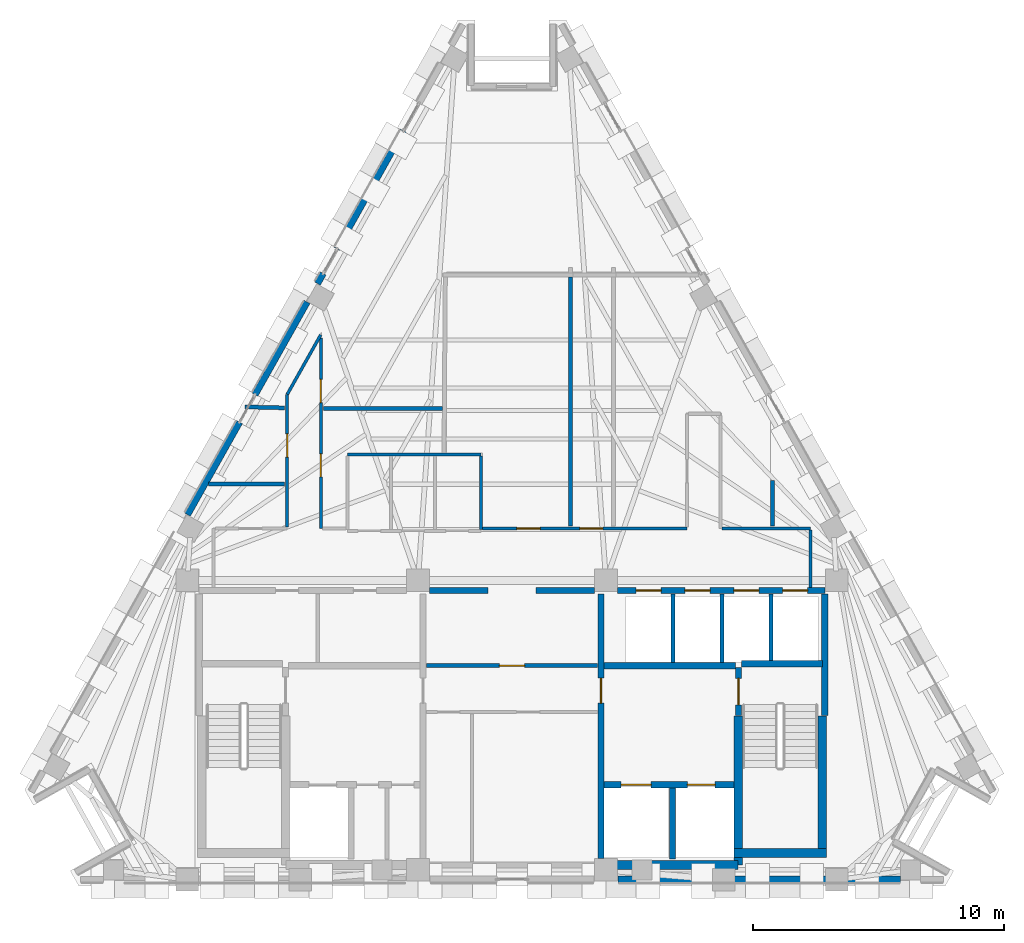
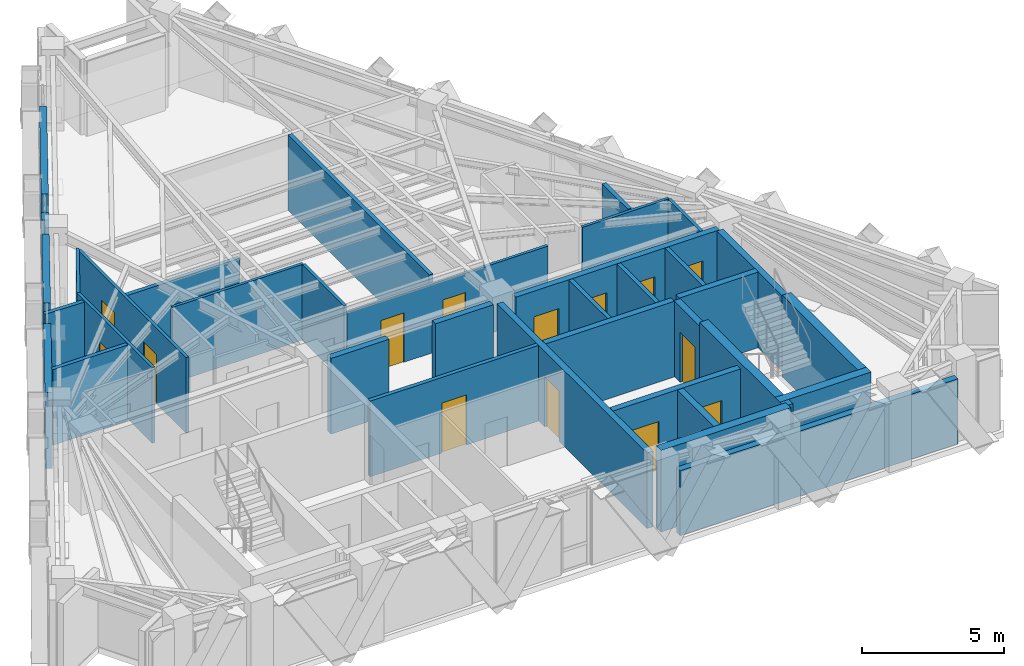
# One storey, part 6 of 9: 36 walls, 14 doors, 14 openings.
"""IFC4 building model written with IfcOpenShell, lengths in metres."""

import ifcopenshell
import ifcopenshell.guid

model = None  # the IFC model being written
_history = None  # IfcOwnerHistory: only IFC2X3 demands one
_inside = {}  # id of a spatial element -> (the spatial element, [elements in it])
_under = {}  # id of a project, library or spatial element -> (it, [spatial elements below it])
_declared = {}  # id of a project -> (the project, [libraries it declares])
_typed = {}  # id of a type object -> (the type object, [elements of that type])
_made_of = {}  # id of a material, layer set ... -> (it, [elements and type objects made of it])


def new_model(schema):
    """Start an empty IFC model of exactly this schema.

    Asked for "IFC4X3", IfcOpenShell would pick the latest addendum, in which some entities
    have other attributes; the version numbers below select the first issue.
    IFC2X3 requires an IfcOwnerHistory on every rooted entity: one is made here for all.
    """
    global model, _history
    if schema == "IFC4X3":
        model = ifcopenshell.file(schema_version=(4, 3, 0, 0))
    else:
        model = ifcopenshell.file(schema=schema)
    _inside.clear()
    _under.clear()
    _declared.clear()
    _typed.clear()
    _made_of.clear()
    _history = None
    if model.schema == "IFC2X3":
        org = make("IfcOrganization", Name="unknown")
        user = make(
            "IfcPersonAndOrganization",
            ThePerson=make("IfcPerson", FamilyName="unknown"),
            TheOrganization=org,
        )
        app = make(
            "IfcApplication",
            ApplicationDeveloper=org,
            Version="unknown",
            ApplicationFullName="unknown",
            ApplicationIdentifier="unknown",
        )
        _history = make(
            "IfcOwnerHistory",
            OwningUser=user,
            OwningApplication=app,
            ChangeAction="ADDED",
            CreationDate=0,
        )
    return model


def make(cls, **values):
    """One entity of the class cls with the attributes given. An attribute that is None is left unset."""
    return model.create_entity(
        cls, **{name: value for name, value in values.items() if value is not None}
    )


def rooted(cls, **values):
    """An entity with a GlobalId (a new one), such as an element, a storey or a relation."""
    return make(cls, GlobalId=ifcopenshell.guid.new(), OwnerHistory=_history, **values)


def si_unit(unit_type, name, prefix=None):
    """IfcSIUnit, for example si_unit("LENGTHUNIT", "METRE", prefix="MILLI")."""
    return make("IfcSIUnit", UnitType=unit_type, Prefix=prefix, Name=name)


def assignment(units):
    """IfcUnitAssignment: the units of a project."""
    return None if units is None else make("IfcUnitAssignment", Units=units)


def point(xyz):
    """IfcCartesianPoint."""
    return None if xyz is None else make("IfcCartesianPoint", Coordinates=xyz)


def direction(xyz):
    """IfcDirection."""
    return None if xyz is None else make("IfcDirection", DirectionRatios=xyz)


def frame(location, z_axis=None, x_axis=None):
    """IfcAxis2Placement3D, a coordinate frame: its origin and axes. An axis left out is left unset."""
    return make(
        "IfcAxis2Placement3D",
        Location=point(location),
        Axis=direction(z_axis),
        RefDirection=direction(x_axis),
    )


def frame_2d(location, x_axis=None):
    """IfcAxis2Placement2D, a coordinate frame in the plane: its origin and x axis."""
    return make(
        "IfcAxis2Placement2D", Location=point(location), RefDirection=direction(x_axis)
    )


def origin():
    """The frame at (0, 0, 0) with its axes left unset."""
    return frame((0.0, 0.0, 0.0))


def place(relative_to, where):
    """IfcLocalPlacement: puts the frame where relative to a parent placement (None: the world)."""
    return make(
        "IfcLocalPlacement", PlacementRelTo=relative_to, RelativePlacement=where
    )


def context(
    kind, dimensions, precision=None, world=None, true_north=None, identifier=None
):
    """IfcGeometricRepresentationContext, for example the 3D "Model" context."""
    return make(
        "IfcGeometricRepresentationContext",
        ContextIdentifier=identifier,
        ContextType=kind,
        CoordinateSpaceDimension=dimensions,
        Precision=precision,
        WorldCoordinateSystem=world,
        TrueNorth=true_north,
    )


def subcontext(parent, identifier, kind, view, scale=None):
    """IfcGeometricRepresentationSubContext, for example "Body" below "Model"."""
    return make(
        "IfcGeometricRepresentationSubContext",
        ContextIdentifier=identifier,
        ContextType=kind,
        ParentContext=parent,
        TargetScale=scale,
        TargetView=view,
    )


def project(units=None, contexts=None):
    """IfcProject with its units and contexts."""
    return rooted(
        "IfcProject",
        Name="project",
        RepresentationContexts=contexts,
        UnitsInContext=assignment(units),
    )


def spatial(cls, under=None, at=None, **own):
    """A site, building, storey or space (cls), placed at a placement, below another one or the project."""
    s = rooted(cls, ObjectPlacement=at, **own)
    if under is not None:
        _under.setdefault(under.id(), (under, []))[1].append(s)
    return s


def profile(cls, at=None, kind="AREA", **sizes):
    """A parametric profile (cls). Its sizes go by their IFC names, for example OverallWidth=200.0."""
    return make(cls, ProfileType=kind, Position=at, **sizes)


def rectangle(**sizes):
    """IfcRectangleProfileDef."""
    return profile("IfcRectangleProfileDef", **sizes)


def extrude(swept, where, along, depth):
    """IfcExtrudedAreaSolid: the profile swept, set in the frame where, extruded along a direction by depth."""
    return make(
        "IfcExtrudedAreaSolid",
        SweptArea=swept,
        Position=where,
        ExtrudedDirection=direction(along),
        Depth=depth,
    )


def shape(context_of_items, identifier, shape_type, items):
    """IfcShapeRepresentation: the items that make up one representation, for example the "Body"."""
    return make(
        "IfcShapeRepresentation",
        ContextOfItems=context_of_items,
        RepresentationIdentifier=identifier,
        RepresentationType=shape_type,
        Items=items,
    )


def material(Name=None, Category=None):
    """IfcMaterial."""
    return make("IfcMaterial", Name=Name, Category=Category)


def layer(
    of_material, thickness, ventilated=None, Name=None, Category=None, Priority=None
):
    """IfcMaterialLayer: one layer of a wall or slab, of a material (None: an air gap)."""
    return make(
        "IfcMaterialLayer",
        Material=of_material,
        LayerThickness=thickness,
        IsVentilated=ventilated,
        Name=Name,
        Category=Category,
        Priority=Priority,
    )


def layer_set(layers, Name=None):
    """IfcMaterialLayerSet."""
    return make("IfcMaterialLayerSet", MaterialLayers=layers, LayerSetName=Name)


def made_of(thing, what):
    """Note that an element or type object is made of a material, layer set ...; save() writes the relation."""
    if what is not None:
        _made_of.setdefault(what.id(), (what, []))[1].append(thing)
    return thing


def type_object(cls, material=None, **own):
    """A type object (cls), such as IfcWallType, which elements share."""
    return made_of(rooted(cls, **own), material)


def element(
    cls,
    number,
    at=None,
    inside=None,
    cuts=None,
    type_object=None,
    material=None,
    context=None,
    identifier="Body",
    shape_type=None,
    held_by="IfcProductDefinitionShape",
    body=None,
    shapes=None,
    **own,
):
    """One element of the class cls, such as IfcWall. Its Tag is "e" and its number.

    at: its placement. inside: the storey or other place that contains it. cuts: it is an
    opening in that element (IfcRelVoidsElement). A single representation is given by context,
    identifier, shape_type and body (its items); several are given by shapes. held_by: the class
    of the entity that holds the representations. save() writes the other relations.
    """
    e = rooted(cls, Tag="e%d" % number, ObjectPlacement=at, **own)
    if body is not None:
        shapes = [shape(context, identifier, shape_type, body)]
    if shapes is not None:
        e.Representation = make(held_by, Representations=shapes)
    if inside is not None:
        _inside.setdefault(inside.id(), (inside, []))[1].append(e)
    if cuts is not None:
        rooted(
            "IfcRelVoidsElement", RelatingBuildingElement=cuts, RelatedOpeningElement=e
        )
    if type_object is not None:
        _typed.setdefault(type_object.id(), (type_object, []))[1].append(e)
    return made_of(e, material)


def fill(opening, filler):
    """IfcRelFillsElement: the door or window that sits in an opening."""
    return rooted(
        "IfcRelFillsElement",
        RelatingOpeningElement=opening,
        RelatedBuildingElement=filler,
    )


def aggregate(whole, parts):
    """IfcRelAggregates: a whole, such as a stair, and the parts it consists of."""
    return rooted("IfcRelAggregates", RelatingObject=whole, RelatedObjects=parts)


def save(model, path):
    """Write the relations noted so far, then the file.

    IfcRelAggregates (storeys below a building ...), IfcRelContainedInSpatialStructure (elements
    in a storey), IfcRelDefinesByType, IfcRelAssociatesMaterial and IfcRelDeclares: one each for
    every whole, place, type object, material and project.
    """
    for whole, parts in _under.values():
        aggregate(whole, parts)
    for where, things in _inside.values():
        rooted(
            "IfcRelContainedInSpatialStructure",
            RelatedElements=things,
            RelatingStructure=where,
        )
    for kind, things in _typed.values():
        rooted("IfcRelDefinesByType", RelatedObjects=things, RelatingType=kind)
    for what, things in _made_of.values():
        rooted("IfcRelAssociatesMaterial", RelatedObjects=things, RelatingMaterial=what)
    for by, libraries in _declared.values():
        rooted("IfcRelDeclares", RelatingContext=by, RelatedDefinitions=libraries)
    model.write(path)


model = new_model("IFC4")

# Units and contexts
model_context = context("Model", 3, precision=1e-05, world=origin(), true_north=direction((0.0, 1.0)))
body_context = subcontext(model_context, "Body", "Model", "MODEL_VIEW")
ifc_project = project(units=[si_unit("LENGTHUNIT", "METRE"), si_unit("AREAUNIT", "SQUARE_METRE"), si_unit("VOLUMEUNIT", "CUBIC_METRE"), si_unit("PLANEANGLEUNIT", "RADIAN"), si_unit("MASSUNIT", "GRAM", prefix="KILO")], contexts=[model_context])

# Site, building, storey
site_placement = place(None, origin())
site = spatial("IfcSite", under=ifc_project, at=site_placement, CompositionType="ELEMENT")
building_placement = place(site_placement, origin())
building = spatial("IfcBuilding", under=site, at=building_placement, Name="Quenlor Broadcast Tower", CompositionType="ELEMENT")
storey_placement = place(building_placement, frame((0.0, 0.0, 249.89990234375)))
storey = spatial("IfcBuildingStorey", under=building, at=storey_placement, Name="L69", CompositionType="ELEMENT", Elevation=249.89990234375)

# Walls
ifc_material_1 = material(Name="Concrete C50/60", Category="concrete")
ifc_layer_1 = layer(ifc_material_1, 0.35009765625)
ifc_layer_set_1 = layer_set([ifc_layer_1], Name="Core Concrete C50/60 Shear Wall 350")
wall_type_1 = type_object("IfcWallType", Name="Core Concrete C50/60 Shear Wall 350", PredefinedType="SHEAR", material=ifc_layer_set_1)
wall_1_placement = place(storey_placement, frame((3.75, -16.14990234375, 0.0), z_axis=(0.0, 0.0, 1.0), x_axis=(1.0, 0.0, 0.0)))
element("IfcWall", 1, at=wall_1_placement, inside=storey, type_object=wall_type_1, Name="L69 Core Shear Wall WS-E1", PredefinedType="SHEAR", context=body_context, shape_type="SweptSolid", body=[
    extrude(rectangle(XDim=5.27490234375, YDim=0.35009765625, at=frame_2d((2.637451171875, 0.0))), origin(), (0.0, 0.0, 1.0), 3.5),
])
wall_2_placement = place(storey_placement, frame((8.85009765625, -15.675048828125, 0.0), z_axis=(0.0, 0.0, 1.0), x_axis=(1.0, 0.0, 0.0)))
element("IfcWall", 2, at=wall_2_placement, inside=storey, type_object=wall_type_1, Name="L69 Core Shear Wall WS-E2", PredefinedType="SHEAR", context=body_context, shape_type="SweptSolid", body=[
    extrude(rectangle(XDim=3.699951171875, YDim=0.35009765625, at=frame_2d((1.85009765625, 0.0))), origin(), (0.0, 0.0, 1.0), 3.5),
])
wall_3_placement = place(storey_placement, frame((12.375, -15.675048828125, 0.0), z_axis=(0.0, 0.0, 1.0), x_axis=(0.0, 1.0, 0.0)))
element("IfcWall", 3, at=wall_3_placement, inside=storey, type_object=wall_type_1, Name="L69 Core Shear Wall WF-E", PredefinedType="SHEAR", context=body_context, shape_type="SweptSolid", body=[
    extrude(rectangle(XDim=5.47509765625, YDim=0.35009765625, at=frame_2d((2.737548828125, 0.0))), origin(), (0.0, 0.0, 1.0), 3.5),
])
wall_4_placement = place(storey_placement, frame((9.02490234375, -16.14990234375, 0.0), z_axis=(0.0, 0.0, 1.0), x_axis=(0.0, 1.0, 0.0)))
element("IfcWall", 4, at=wall_4_placement, inside=storey, type_object=wall_type_1, Name="L69 Core Shear Wall WI-E", PredefinedType="SHEAR", context=body_context, shape_type="SweptSolid", body=[
    extrude(rectangle(XDim=5.949951171875, YDim=0.35009765625, at=frame_2d((2.97509765625, 0.0))), origin(), (0.0, 0.0, 1.0), 3.5),
])

# Wall, opening, door
ifc_material_2 = material(Name="Concrete C40/50", Category="concrete")
ifc_layer_2 = layer(ifc_material_2, 0.25)
ifc_layer_set_2 = layer_set([ifc_layer_2], Name="Fire Rated Concrete C40/50 Core Wall 250")
wall_type_2 = type_object("IfcWallType", Name="Fire Rated Concrete C40/50 Core Wall 250", PredefinedType="PARTITIONING", material=ifc_layer_set_2)
wall_5_placement = place(storey_placement, frame((9.0400390625, -10.179931640625, 0.0), z_axis=(0.0, 0.0, 1.0), x_axis=(0.0, 1.0, 0.0)))
wall_5 = element("IfcWall", 5, at=wall_5_placement, inside=storey, type_object=wall_type_2, Name="L69 Interior Wall CW-ST2-DR", PredefinedType="PARTITIONING", context=body_context, shape_type="SweptSolid", body=[
    extrude(rectangle(XDim=1.89990234375, YDim=0.25, at=frame_2d((0.949951171875, 0.0))), origin(), (0.0, 0.0, 1.0), 3.25),
])
opening_1_placement = place(wall_5_placement, frame((0.419921875, 0.0, 0.0)))
opening_1 = element("IfcOpeningElement", 6, at=opening_1_placement, cuts=wall_5, Name="Opening FD-1", PredefinedType="OPENING", context=body_context, shape_type="SweptSolid", body=[
    extrude(rectangle(XDim=1.050048828125, YDim=2.14990234375, at=frame_2d((0.52490234375, 1.074951171875))), frame((0.0, 0.135009765625, 0.0), z_axis=(0.0, -1.0, 0.0), x_axis=(1.0, 0.0, 0.0)), (0.0, 0.0, 1.0), 0.27001953125),
])
ifc_material_3 = material(Name="Fire Rated Steel Door Leaf", Category="steel")
door_type_1 = type_object("IfcDoorType", Name="Fire Isolated Stair Door 1050x2150", OperationType="NOTDEFINED", PredefinedType="DOOR", material=ifc_material_3)
door_1_placement = place(opening_1_placement, origin())
door_1 = element("IfcDoor", 7, at=door_1_placement, inside=storey, type_object=door_type_1, Name="L69 Door DR-ST2", OperationType="SINGLE_SWING_RIGHT", OverallHeight=2.14990234375, OverallWidth=1.050048828125, PredefinedType="DOOR", context=body_context, shape_type="SweptSolid", body=[
    extrude(rectangle(XDim=1.050048828125, YDim=2.14990234375, at=frame_2d((0.52490234375, 1.074951171875))), frame((0.0, 0.02490234375, 0.0), z_axis=(0.0, -1.0, 0.0), x_axis=(1.0, 0.0, 0.0)), (0.0, 0.0, 1.0), 0.050048828125),
])
fill(opening_1, door_1)

# Walls
wall_6_placement = place(storey_placement, frame((9.159912109375, -8.1201171875, 0.0), z_axis=(0.0, 0.0, 1.0), x_axis=(1.0, 0.0, 0.0)))
element("IfcWall", 8, at=wall_6_placement, inside=storey, type_object=wall_type_2, Name="L69 Interior Wall CW-ST2-N", PredefinedType="PARTITIONING", context=body_context, shape_type="SweptSolid", body=[
    extrude(rectangle(XDim=3.219970703125, YDim=0.25, at=frame_2d((1.60986328125, 0.0))), origin(), (0.0, 0.0, 1.0), 3.25),
])
wall_7_placement = place(storey_placement, frame((12.47998046875, -10.179931640625, 0.0), z_axis=(0.0, 0.0, 1.0), x_axis=(0.0, 1.0, 0.0)))
element("IfcWall", 9, at=wall_7_placement, inside=storey, type_object=wall_type_2, Name="L69 Interior Wall CW-ST2-E2", PredefinedType="PARTITIONING", context=body_context, shape_type="SweptSolid", body=[
    extrude(rectangle(XDim=4.83984375, YDim=0.25, at=frame_2d((2.419921875, 0.0))), origin(), (0.0, 0.0, 1.0), 3.25),
])

# Wall, openings, doors
wall_8_placement = place(storey_placement, frame((3.679931640625, -12.949951171875, 0.0), z_axis=(0.0, 0.0, 1.0), x_axis=(1.0, 0.0, 0.0)))
wall_8 = element("IfcWall", 10, at=wall_8_placement, inside=storey, type_object=wall_type_2, Name="L69 Interior Wall CW-FFE-S", PredefinedType="PARTITIONING", context=body_context, shape_type="SweptSolid", body=[
    extrude(rectangle(XDim=5.16796875, YDim=0.25, at=frame_2d((2.583984375, 0.0))), origin(), (0.0, 0.0, 1.0), 3.25),
])
opening_2_placement = place(wall_8_placement, frame((3.320068359375, 0.0, 0.0)))
opening_2 = element("IfcOpeningElement", 11, at=opening_2_placement, cuts=wall_8, Name="Opening LD-FFL-2", PredefinedType="OPENING", context=body_context, shape_type="SweptSolid", body=[
    extrude(rectangle(XDim=1.10009765625, YDim=2.14990234375, at=frame_2d((0.550048828125, 1.074951171875))), frame((0.0, 0.135009765625, 0.0), z_axis=(0.0, -1.0, 0.0), x_axis=(1.0, 0.0, 0.0)), (0.0, 0.0, 1.0), 0.27001953125),
])
opening_3_placement = place(wall_8_placement, frame((0.669921875, 0.0, 0.0)))
opening_3 = element("IfcOpeningElement", 12, at=opening_3_placement, cuts=wall_8, Name="Opening LD-SVL-1", PredefinedType="OPENING", context=body_context, shape_type="SweptSolid", body=[
    extrude(rectangle(XDim=1.199951171875, YDim=2.14990234375, at=frame_2d((0.60009765625, 1.074951171875))), frame((0.0, 0.135009765625, 0.0), z_axis=(0.0, -1.0, 0.0), x_axis=(1.0, 0.0, 0.0)), (0.0, 0.0, 1.0), 0.27001953125),
])
ifc_material_4 = material(Name="Brushed Stainless Steel", Category="steel")
door_type_2 = type_object("IfcDoorType", Name="Emergency Lift Sliding Landing Door 1100x2150", OperationType="NOTDEFINED", PredefinedType="DOOR", material=ifc_material_4)
door_2_placement = place(opening_2_placement, origin())
door_2 = element("IfcDoor", 13, at=door_2_placement, inside=storey, type_object=door_type_2, Name="L69 Door LD-FFL-2", OperationType="SLIDING_TO_RIGHT", OverallHeight=2.14990234375, OverallWidth=1.10009765625, PredefinedType="DOOR", context=body_context, shape_type="SweptSolid", body=[
    extrude(rectangle(XDim=1.10009765625, YDim=2.14990234375, at=frame_2d((0.550048828125, 1.074951171875))), frame((0.0, 0.02490234375, 0.0), z_axis=(0.0, -1.0, 0.0), x_axis=(1.0, 0.0, 0.0)), (0.0, 0.0, 1.0), 0.050048828125),
])
fill(opening_2, door_2)
ifc_material_5 = material(Name="Brushed Stainless Steel", Category="steel")
door_type_3 = type_object("IfcDoorType", Name="Goods Lift Sliding Landing Door 1200x2150", OperationType="NOTDEFINED", PredefinedType="DOOR", material=ifc_material_5)
door_3_placement = place(opening_3_placement, origin())
door_3 = element("IfcDoor", 14, at=door_3_placement, inside=storey, type_object=door_type_3, Name="L69 Door LD-SVL-1", OperationType="SLIDING_TO_LEFT", OverallHeight=2.14990234375, OverallWidth=1.199951171875, PredefinedType="DOOR", context=body_context, shape_type="SweptSolid", body=[
    extrude(rectangle(XDim=1.199951171875, YDim=2.14990234375, at=frame_2d((0.60009765625, 1.074951171875))), frame((0.0, 0.02490234375, 0.0), z_axis=(0.0, -1.0, 0.0), x_axis=(1.0, 0.0, 0.0)), (0.0, 0.0, 1.0), 0.050048828125),
])
fill(opening_3, door_3)

# Walls
wall_9_placement = place(storey_placement, frame((6.39990234375, -15.919921875, 0.0), z_axis=(0.0, 0.0, 1.0), x_axis=(0.0, 1.0, 0.0)))
element("IfcWall", 15, at=wall_9_placement, inside=storey, type_object=wall_type_2, Name="L69 Interior Wall CW-SV1-E", PredefinedType="PARTITIONING", context=body_context, shape_type="SweptSolid", body=[
    extrude(rectangle(XDim=2.829833984375, YDim=0.25, at=frame_2d((1.4150390625, 0.0))), origin(), (0.0, 0.0, 1.0), 3.25),
])
wall_10_placement = place(storey_placement, frame((3.679931640625, -8.199951171875, 0.0), z_axis=(0.0, 0.0, 1.0), x_axis=(1.0, 0.0, 0.0)))
element("IfcWall", 16, at=wall_10_placement, inside=storey, type_object=wall_type_2, Name="L69 Interior Wall CW-FFE-N", PredefinedType="PARTITIONING", context=body_context, shape_type="SweptSolid", body=[
    extrude(rectangle(XDim=5.239990234375, YDim=0.25, at=frame_2d((2.6201171875, 0.0))), origin(), (0.0, 0.0, 1.0), 3.25),
])

# Wall, opening, door
wall_11_placement = place(storey_placement, frame((3.550048828125, -15.89794921875, 0.0), z_axis=(0.0, 0.0, 1.0), x_axis=(0.0, 1.0, 0.0)))
wall_11 = element("IfcWall", 17, at=wall_11_placement, inside=storey, type_object=wall_type_2, Name="L69 Interior Wall CW-FFE-W", PredefinedType="PARTITIONING", context=body_context, shape_type="SweptSolid", body=[
    extrude(rectangle(XDim=10.557861328125, YDim=0.25, at=frame_2d((5.27880859375, 0.0))), origin(), (0.0, 0.0, 1.0), 3.25),
])
opening_4_placement = place(wall_11_placement, frame((6.197998046875, 0.0, 0.0)))
opening_4 = element("IfcOpeningElement", 18, at=opening_4_placement, cuts=wall_11, Name="Opening FD-2", PredefinedType="OPENING", context=body_context, shape_type="SweptSolid", body=[
    extrude(rectangle(XDim=1.0, YDim=2.14990234375, at=frame_2d((0.5, 1.074951171875))), frame((0.0, 0.135009765625, 0.0), z_axis=(0.0, -1.0, 0.0), x_axis=(1.0, 0.0, 0.0)), (0.0, 0.0, 1.0), 0.27001953125),
])
ifc_material_6 = material(Name="Fire Rated Glazed Steel Door", Category="steel")
door_type_4 = type_object("IfcDoorType", Name="Firefighting Lobby Smoke Door 1000x2150", OperationType="NOTDEFINED", PredefinedType="DOOR", material=ifc_material_6)
door_4_placement = place(opening_4_placement, origin())
door_4 = element("IfcDoor", 19, at=door_4_placement, inside=storey, type_object=door_type_4, Name="L69 Door DR-FFLE", OperationType="SINGLE_SWING_LEFT", OverallHeight=2.14990234375, OverallWidth=1.0, PredefinedType="DOOR", context=body_context, shape_type="SweptSolid", body=[
    extrude(rectangle(XDim=1.0, YDim=2.14990234375, at=frame_2d((0.5, 1.074951171875))), frame((0.0, 0.02490234375, 0.0), z_axis=(0.0, -1.0, 0.0), x_axis=(1.0, 0.0, 0.0)), (0.0, 0.0, 1.0), 0.050048828125),
])
fill(opening_4, door_4)

# Wall, openings, doors
wall_12_placement = place(storey_placement, frame((4.201904296875, -5.199951171875, 0.0), z_axis=(0.0, 0.0, 1.0), x_axis=(1.0, 0.0, 0.0)))
wall_12 = element("IfcWall", 20, at=wall_12_placement, inside=storey, type_object=wall_type_2, Name="L69 Interior Wall CW-N-E", PredefinedType="PARTITIONING", context=body_context, shape_type="SweptSolid", body=[
    extrude(rectangle(XDim=8.278076171875, YDim=0.25, at=frame_2d((4.13916015625, 0.0))), origin(), (0.0, 0.0, 1.0), 3.25),
])
opening_5_placement = place(wall_12_placement, frame((0.748046875, 0.0, 0.0)))
opening_5 = element("IfcOpeningElement", 21, at=opening_5_placement, cuts=wall_12, Name="Opening LD-PL-H1", PredefinedType="OPENING", context=body_context, shape_type="SweptSolid", body=[
    extrude(rectangle(XDim=1.0, YDim=2.14990234375, at=frame_2d((0.5, 1.074951171875))), frame((0.0, 0.135009765625, 0.0), z_axis=(0.0, -1.0, 0.0), x_axis=(1.0, 0.0, 0.0)), (0.0, 0.0, 1.0), 0.27001953125),
])
opening_6_placement = place(wall_12_placement, frame((2.697998046875, 0.0, 0.0)))
opening_6 = element("IfcOpeningElement", 22, at=opening_6_placement, cuts=wall_12, Name="Opening LD-PL-H2", PredefinedType="OPENING", context=body_context, shape_type="SweptSolid", body=[
    extrude(rectangle(XDim=1.0, YDim=2.14990234375, at=frame_2d((0.5, 1.074951171875))), frame((0.0, 0.135009765625, 0.0), z_axis=(0.0, -1.0, 0.0), x_axis=(1.0, 0.0, 0.0)), (0.0, 0.0, 1.0), 0.27001953125),
])
opening_7_placement = place(wall_12_placement, frame((4.64794921875, 0.0, 0.0)))
opening_7 = element("IfcOpeningElement", 23, at=opening_7_placement, cuts=wall_12, Name="Opening LD-PL-H3", PredefinedType="OPENING", context=body_context, shape_type="SweptSolid", body=[
    extrude(rectangle(XDim=1.0, YDim=2.14990234375, at=frame_2d((0.5, 1.074951171875))), frame((0.0, 0.135009765625, 0.0), z_axis=(0.0, -1.0, 0.0), x_axis=(1.0, 0.0, 0.0)), (0.0, 0.0, 1.0), 0.27001953125),
])
opening_8_placement = place(wall_12_placement, frame((6.597900390625, 0.0, 0.0)))
opening_8 = element("IfcOpeningElement", 24, at=opening_8_placement, cuts=wall_12, Name="Opening LD-PL-H4", PredefinedType="OPENING", context=body_context, shape_type="SweptSolid", body=[
    extrude(rectangle(XDim=1.0, YDim=2.14990234375, at=frame_2d((0.5, 1.074951171875))), frame((0.0, 0.135009765625, 0.0), z_axis=(0.0, -1.0, 0.0), x_axis=(1.0, 0.0, 0.0)), (0.0, 0.0, 1.0), 0.27001953125),
])
ifc_material_7 = material(Name="Brushed Stainless Steel", Category="steel")
door_type_5 = type_object("IfcDoorType", Name="Passenger Lift Sliding Landing Door 1000x2150", OperationType="NOTDEFINED", PredefinedType="DOOR", material=ifc_material_7)
door_5_placement = place(opening_5_placement, origin())
door_5 = element("IfcDoor", 25, at=door_5_placement, inside=storey, type_object=door_type_5, Name="L69 Door LD-PL-H1", OperationType="SLIDING_TO_RIGHT", OverallHeight=2.14990234375, OverallWidth=1.0, PredefinedType="DOOR", context=body_context, shape_type="SweptSolid", body=[
    extrude(rectangle(XDim=1.0, YDim=2.14990234375, at=frame_2d((0.5, 1.074951171875))), frame((0.0, 0.02490234375, 0.0), z_axis=(0.0, -1.0, 0.0), x_axis=(1.0, 0.0, 0.0)), (0.0, 0.0, 1.0), 0.050048828125),
])
fill(opening_5, door_5)
door_6_placement = place(opening_6_placement, origin())
door_6 = element("IfcDoor", 26, at=door_6_placement, inside=storey, type_object=door_type_5, Name="L69 Door LD-PL-H2", OperationType="SLIDING_TO_RIGHT", OverallHeight=2.14990234375, OverallWidth=1.0, PredefinedType="DOOR", context=body_context, shape_type="SweptSolid", body=[
    extrude(rectangle(XDim=1.0, YDim=2.14990234375, at=frame_2d((0.5, 1.074951171875))), frame((0.0, 0.02490234375, 0.0), z_axis=(0.0, -1.0, 0.0), x_axis=(1.0, 0.0, 0.0)), (0.0, 0.0, 1.0), 0.050048828125),
])
fill(opening_6, door_6)
door_7_placement = place(opening_7_placement, origin())
door_7 = element("IfcDoor", 27, at=door_7_placement, inside=storey, type_object=door_type_5, Name="L69 Door LD-PL-H3", OperationType="SLIDING_TO_RIGHT", OverallHeight=2.14990234375, OverallWidth=1.0, PredefinedType="DOOR", context=body_context, shape_type="SweptSolid", body=[
    extrude(rectangle(XDim=1.0, YDim=2.14990234375, at=frame_2d((0.5, 1.074951171875))), frame((0.0, 0.02490234375, 0.0), z_axis=(0.0, -1.0, 0.0), x_axis=(1.0, 0.0, 0.0)), (0.0, 0.0, 1.0), 0.050048828125),
])
fill(opening_7, door_7)
door_8_placement = place(opening_8_placement, origin())
door_8 = element("IfcDoor", 28, at=door_8_placement, inside=storey, type_object=door_type_5, Name="L69 Door LD-PL-H4", OperationType="SLIDING_TO_RIGHT", OverallHeight=2.14990234375, OverallWidth=1.0, PredefinedType="DOOR", context=body_context, shape_type="SweptSolid", body=[
    extrude(rectangle(XDim=1.0, YDim=2.14990234375, at=frame_2d((0.5, 1.074951171875))), frame((0.0, 0.02490234375, 0.0), z_axis=(0.0, -1.0, 0.0), x_axis=(1.0, 0.0, 0.0)), (0.0, 0.0, 1.0), 0.050048828125),
])
fill(opening_8, door_8)

# Walls
for number, where, z_axis, x_axis, name in (
    (29, (-3.298095703125, -5.199951171875, 0.0), (0.0, 0.0, 1.0), (1.0, 0.0, 0.0), "L69 Interior Wall CW-N-M1"),
    (30, (0.949951171875, -5.199951171875, 0.0), (0.0, 0.0, 1.0), (1.0, 0.0, 0.0), "L69 Interior Wall CW-N-M2"),
):
    element("IfcWall", number, at=place(storey_placement, frame(where, z_axis=z_axis, x_axis=x_axis)), inside=storey, type_object=wall_type_2, Name=name, PredefinedType="PARTITIONING", context=body_context, shape_type="SweptSolid", body=[
        extrude(rectangle(XDim=2.34814453125, YDim=0.25, at=frame_2d((1.174072265625, 0.0))), origin(), (0.0, 0.0, 1.0), 3.25),
    ])
ifc_material_8 = material(Name="Gypsum Fireboard Partition", Category="other")
ifc_layer_3 = layer(ifc_material_8, 0.159912109375)
ifc_layer_set_3 = layer_set([ifc_layer_3], Name="Fire Rated Shaft and Corridor Partition 160")
wall_type_3 = type_object("IfcWallType", Name="Fire Rated Shaft and Corridor Partition 160", PredefinedType="PARTITIONING", material=ifc_layer_set_3)
for number, where, z_axis, x_axis, name in (
    (31, (6.425048828125, -8.072998046875, 0.0), (0.0, 0.0, 1.0), (0.0, 1.0, 0.0), "L69 Interior Wall CW-PLH-D1"),
    (32, (8.375, -8.072998046875, 0.0), (0.0, 0.0, 1.0), (0.0, 1.0, 0.0), "L69 Interior Wall CW-PLH-D2"),
):
    element("IfcWall", number, at=place(storey_placement, frame(where, z_axis=z_axis, x_axis=x_axis)), inside=storey, type_object=wall_type_3, Name=name, PredefinedType="PARTITIONING", context=body_context, shape_type="SweptSolid", body=[
        extrude(rectangle(XDim=2.73291015625, YDim=0.159912109375, at=frame_2d((1.366455078125, 0.0))), origin(), (0.0, 0.0, 1.0), 3.25),
    ])
wall_13_placement = place(storey_placement, frame((10.324951171875, -7.992919921875, 0.0), z_axis=(0.0, 0.0, 1.0), x_axis=(0.0, 1.0, 0.0)))
element("IfcWall", 33, at=wall_13_placement, inside=storey, type_object=wall_type_3, Name="L69 Interior Wall CW-PLH-D3", PredefinedType="PARTITIONING", context=body_context, shape_type="SweptSolid", body=[
    extrude(rectangle(XDim=2.65283203125, YDim=0.159912109375, at=frame_2d((1.326416015625, 0.0))), origin(), (0.0, 0.0, 1.0), 3.25),
])

# Wall, opening, door
wall_14_placement = place(storey_placement, frame((-3.419921875, -8.199951171875, 0.0), z_axis=(0.0, 0.0, 1.0), x_axis=(1.0, 0.0, 0.0)))
wall_14 = element("IfcWall", 34, at=wall_14_placement, inside=storey, type_object=wall_type_3, Name="L69 Interior Wall CW-M-BACK", PredefinedType="PARTITIONING", context=body_context, shape_type="SweptSolid", body=[
    extrude(rectangle(XDim=6.83984375, YDim=0.159912109375, at=frame_2d((3.419921875, 0.0))), origin(), (0.0, 0.0, 1.0), 3.25),
])
opening_9_placement = place(wall_14_placement, frame((2.919921875, 0.0, 0.0)))
opening_9 = element("IfcOpeningElement", 35, at=opening_9_placement, cuts=wall_14, Name="Opening FD-2", PredefinedType="OPENING", context=body_context, shape_type="SweptSolid", body=[
    extrude(rectangle(XDim=1.0, YDim=2.14990234375, at=frame_2d((0.5, 1.074951171875))), frame((0.0, 0.08984375, 0.0), z_axis=(0.0, -1.0, 0.0), x_axis=(1.0, 0.0, 0.0)), (0.0, 0.0, 1.0), 0.179931640625),
])
door_9_placement = place(opening_9_placement, origin())
door_9 = element("IfcDoor", 36, at=door_9_placement, inside=storey, type_object=door_type_4, Name="L69 Door DR-CCRP", OperationType="SINGLE_SWING_LEFT", OverallHeight=2.14990234375, OverallWidth=1.0, PredefinedType="DOOR", context=body_context, shape_type="SweptSolid", body=[
    extrude(rectangle(XDim=1.0, YDim=2.14990234375, at=frame_2d((0.5, 1.074951171875))), frame((0.0, 0.02490234375, 0.0), z_axis=(0.0, -1.0, 0.0), x_axis=(1.0, 0.0, 0.0)), (0.0, 0.0, 1.0), 0.050048828125),
])
fill(opening_9, door_9)

# Walls
wall_15_placement = place(storey_placement, frame((-2.781982421875, 2.057373046875, 0.0), z_axis=(0.0, 0.0, 1.0), x_axis=(-1.0, 0.0, 0.0)))
element("IfcWall", 37, at=wall_15_placement, inside=storey, type_object=wall_type_3, Name="L69 Interior Wall PW-DV-05", PredefinedType="PARTITIONING", context=body_context, shape_type="SweptSolid", body=[
    extrude(rectangle(XDim=4.738037109375, YDim=0.159912109375, at=frame_2d((2.369140625, 0.0))), origin(), (0.0, 0.0, 1.0), 2.94287109375),
])
wall_16_placement = place(storey_placement, frame((-9.080078125, 2.083984375, 0.0), z_axis=(0.0, 0.0, 1.0), x_axis=(-0.999697673559, 0.024587831946, 0.0)))
element("IfcWall", 38, at=wall_16_placement, inside=storey, type_object=wall_type_3, Name="L69 Interior Wall PW-DV-06", PredefinedType="PARTITIONING", context=body_context, shape_type="SweptSolid", body=[
    extrude(rectangle(XDim=1.56884765625, YDim=0.159912109375, at=frame_2d((0.784423828125, 0.0))), origin(), (0.0, 0.0, 1.0), 3.25),
])
wall_17_placement = place(storey_placement, frame((2.32763671875, 7.30810546875, 0.0), z_axis=(0.0, 0.0, 1.0), x_axis=(0.0, -1.0, 0.0)))
element("IfcWall", 39, at=wall_17_placement, inside=storey, type_object=wall_type_3, Name="L69 Interior Wall PW-DV-07S2", PredefinedType="PARTITIONING", context=body_context, shape_type="SweptSolid", body=[
    extrude(rectangle(XDim=9.92822265625, YDim=0.159912109375, at=frame_2d((4.964111328125, 0.0))), origin(), (0.0, 0.0, 1.0), 3.25),
])
wall_18_placement = place(storey_placement, frame((10.389892578125, -0.8134765625, 0.0), z_axis=(0.0, 0.0, 1.0), x_axis=(0.0, -1.0, 0.0)))
element("IfcWall", 40, at=wall_18_placement, inside=storey, type_object=wall_type_3, Name="L69 Interior Wall PW-DV-10", PredefinedType="PARTITIONING", context=body_context, shape_type="SweptSolid", body=[
    extrude(rectangle(XDim=1.806640625, YDim=0.159912109375, at=frame_2d((0.9033203125, 0.0))), origin(), (0.0, 0.0, 1.0), 3.25),
])
wall_19_placement = place(storey_placement, frame((-9.080078125, -0.953369140625, 0.0), z_axis=(0.0, 0.0, 1.0), x_axis=(-1.0, 0.0, 0.0)))
element("IfcWall", 41, at=wall_19_placement, inside=storey, type_object=wall_type_3, Name="L69 Interior Wall PW-DV-11", PredefinedType="PARTITIONING", context=body_context, shape_type="SweptSolid", body=[
    extrude(rectangle(XDim=3.026611328125, YDim=0.159912109375, at=frame_2d((1.51318359375, 0.0))), origin(), (0.0, 0.0, 1.0), 3.25),
])
ifc_material_9 = material(Name="Gypsum Plasterboard Partition", Category="other")
ifc_layer_4 = layer(ifc_material_9, 0.1201171875)
ifc_layer_set_4 = layer_set([ifc_layer_4], Name="Standard Office Partition 120")
wall_type_4 = type_object("IfcWallType", Name="Standard Office Partition 120", PredefinedType="PARTITIONING", material=ifc_layer_set_4)
wall_20_placement = place(storey_placement, frame((-6.56005859375, 0.22998046875, 0.0), z_axis=(0.0, 0.0, 1.0), x_axis=(1.0, 0.0, 0.0)))
element("IfcWall", 42, at=wall_20_placement, inside=storey, type_object=wall_type_4, Name="L69 Interior Wall PW-WC-N", PredefinedType="PARTITIONING", context=body_context, shape_type="SweptSolid", body=[
    extrude(rectangle(XDim=5.320068359375, YDim=0.1201171875, at=frame_2d((2.66015625, 0.0))), origin(), (0.0, 0.0, 1.0), 3.25),
])
wall_21_placement = place(storey_placement, frame((-1.239990234375, -2.758056640625, 0.0), z_axis=(0.0, 0.0, 1.0), x_axis=(0.0, 1.0, 0.0)))
element("IfcWall", 43, at=wall_21_placement, inside=storey, type_object=wall_type_4, Name="L69 Interior Wall PW-WC-E", PredefinedType="PARTITIONING", context=body_context, shape_type="SweptSolid", body=[
    extrude(rectangle(XDim=2.926025390625, YDim=0.1201171875, at=frame_2d((1.462890625, 0.0))), origin(), (0.0, 0.0, 1.0), 3.25),
])

# Wall, opening, door
wall_22_placement = place(storey_placement, frame((-8.969970703125, -2.66796875, 0.0), z_axis=(0.0, 0.0, 1.0), x_axis=(0.0, 1.0, 0.0)))
wall_22 = element("IfcWall", 44, at=wall_22_placement, inside=storey, type_object=wall_type_4, Name="L69 Interior Wall PW-CR-03", PredefinedType="PARTITIONING", context=body_context, shape_type="SweptSolid", body=[
    extrude(rectangle(XDim=5.2861328125, YDim=0.1201171875, at=frame_2d((2.64306640625, 0.0))), origin(), (0.0, 0.0, 1.0), 3.25),
])
opening_10_placement = place(wall_22_placement, frame((2.791015625, 0.0, 0.0)))
opening_10 = element("IfcOpeningElement", 45, at=opening_10_placement, cuts=wall_22, Name="Opening ID-1", PredefinedType="OPENING", context=body_context, shape_type="SweptSolid", body=[
    extrude(rectangle(XDim=0.919921875, YDim=2.1201171875, at=frame_2d((0.4599609375, 1.06005859375))), frame((0.0, 0.070068359375, 0.0), z_axis=(0.0, -1.0, 0.0), x_axis=(1.0, 0.0, 0.0)), (0.0, 0.0, 1.0), 0.14013671875),
])
ifc_material_10 = material(Name="Solid Core Timber Oak", Category="wood")
door_type_6 = type_object("IfcDoorType", Name="Single Leaf Timber Office Door 920x2120", OperationType="NOTDEFINED", PredefinedType="DOOR", material=ifc_material_10)
door_10_placement = place(opening_10_placement, origin())
door_10 = element("IfcDoor", 46, at=door_10_placement, inside=storey, type_object=door_type_6, Name="L69 Door DR-RM06", OperationType="SINGLE_SWING_LEFT", OverallHeight=2.1201171875, OverallWidth=0.919921875, PredefinedType="DOOR", context=body_context, shape_type="SweptSolid", body=[
    extrude(rectangle(XDim=0.919921875, YDim=2.1201171875, at=frame_2d((0.4599609375, 1.06005859375))), frame((0.0, 0.02490234375, 0.0), z_axis=(0.0, -1.0, 0.0), x_axis=(1.0, 0.0, 0.0)), (0.0, 0.0, 1.0), 0.050048828125),
])
fill(opening_10, door_10)

# Wall
wall_23_placement = place(storey_placement, frame((-8.968994140625, 2.6201171875, 0.0), z_axis=(0.0, 0.0, 1.0), x_axis=(0.490341880416, 0.871530171773, 0.0)))
element("IfcWall", 47, at=wall_23_placement, inside=storey, type_object=wall_type_4, Name="L69 Interior Wall PW-CR-04", PredefinedType="PARTITIONING", context=body_context, shape_type="SweptSolid", body=[
    extrude(rectangle(XDim=2.73095703125, YDim=0.1201171875, at=frame_2d((1.365478515625, 0.0))), origin(), (0.0, 0.0, 1.0), 3.25),
])

# Wall, openings, doors
wall_24_placement = place(storey_placement, frame((-7.6298828125, 4.873779296875, 0.0), z_axis=(0.0, 0.0, 1.0), x_axis=(0.0, -1.0, 0.0)))
wall_24 = element("IfcWall", 48, at=wall_24_placement, inside=storey, type_object=wall_type_4, Name="L69 Interior Wall PW-CR-05", PredefinedType="PARTITIONING", context=body_context, shape_type="SweptSolid", body=[
    extrude(rectangle(XDim=7.603759765625, YDim=0.1201171875, at=frame_2d((3.8017578125, 0.0))), origin(), (0.0, 0.0, 1.0), 3.25),
])
opening_11_placement = place(wall_24_placement, frame((1.655029296875, 0.0, 0.0)))
opening_11 = element("IfcOpeningElement", 49, at=opening_11_placement, cuts=wall_24, Name="Opening ID-1", PredefinedType="OPENING", context=body_context, shape_type="SweptSolid", body=[
    extrude(rectangle(XDim=0.919921875, YDim=2.1201171875, at=frame_2d((0.4599609375, 1.06005859375))), frame((0.0, 0.070068359375, 0.0), z_axis=(0.0, -1.0, 0.0), x_axis=(1.0, 0.0, 0.0)), (0.0, 0.0, 1.0), 0.14013671875),
])
opening_12_placement = place(wall_24_placement, frame((4.6201171875, 0.0, 0.0)))
opening_12 = element("IfcOpeningElement", 50, at=opening_12_placement, cuts=wall_24, Name="Opening ID-1", PredefinedType="OPENING", context=body_context, shape_type="SweptSolid", body=[
    extrude(rectangle(XDim=0.919921875, YDim=2.1201171875, at=frame_2d((0.4599609375, 1.06005859375))), frame((0.0, 0.070068359375, 0.0), z_axis=(0.0, -1.0, 0.0), x_axis=(1.0, 0.0, 0.0)), (0.0, 0.0, 1.0), 0.14013671875),
])
door_11_placement = place(opening_11_placement, origin())
door_11 = element("IfcDoor", 51, at=door_11_placement, inside=storey, type_object=door_type_6, Name="L69 Door DR-RM01", OperationType="SINGLE_SWING_RIGHT", OverallHeight=2.1201171875, OverallWidth=0.919921875, PredefinedType="DOOR", context=body_context, shape_type="SweptSolid", body=[
    extrude(rectangle(XDim=0.919921875, YDim=2.1201171875, at=frame_2d((0.4599609375, 1.06005859375))), frame((0.0, 0.02490234375, 0.0), z_axis=(0.0, -1.0, 0.0), x_axis=(1.0, 0.0, 0.0)), (0.0, 0.0, 1.0), 0.050048828125),
])
fill(opening_11, door_11)
door_12_placement = place(opening_12_placement, origin())
door_12 = element("IfcDoor", 52, at=door_12_placement, inside=storey, type_object=door_type_6, Name="L69 Door DR-RM05", OperationType="SINGLE_SWING_RIGHT", OverallHeight=2.1201171875, OverallWidth=0.919921875, PredefinedType="DOOR", context=body_context, shape_type="SweptSolid", body=[
    extrude(rectangle(XDim=0.919921875, YDim=2.1201171875, at=frame_2d((0.4599609375, 1.06005859375))), frame((0.0, 0.02490234375, 0.0), z_axis=(0.0, -1.0, 0.0), x_axis=(1.0, 0.0, 0.0)), (0.0, 0.0, 1.0), 0.050048828125),
])
fill(opening_12, door_12)

wall_25_placement = place(storey_placement, frame((-1.177978515625, -2.72998046875, 0.0), z_axis=(0.0, 0.0, 1.0), x_axis=(1.0, 0.0, 0.0)))
wall_25 = element("IfcWall", 53, at=wall_25_placement, inside=storey, type_object=wall_type_4, Name="L69 Interior Wall PW-CR-08", PredefinedType="PARTITIONING", context=body_context, shape_type="SweptSolid", body=[
    extrude(rectangle(XDim=8.157958984375, YDim=0.1201171875, at=frame_2d((4.0791015625, 0.0))), origin(), (0.0, 0.0, 1.0), 2.94287109375),
])
opening_13_placement = place(wall_25_placement, frame((1.3759765625, 0.0, 0.0)))
opening_13 = element("IfcOpeningElement", 54, at=opening_13_placement, cuts=wall_25, Name="Opening ID-1", PredefinedType="OPENING", context=body_context, shape_type="SweptSolid", body=[
    extrude(rectangle(XDim=0.919921875, YDim=2.1201171875, at=frame_2d((0.4599609375, 1.06005859375))), frame((0.0, 0.070068359375, 0.0), z_axis=(0.0, -1.0, 0.0), x_axis=(1.0, 0.0, 0.0)), (0.0, 0.0, 1.0), 0.14013671875),
])
opening_14_placement = place(wall_25_placement, frame((3.882080078125, 0.0, 0.0)))
opening_14 = element("IfcOpeningElement", 55, at=opening_14_placement, cuts=wall_25, Name="Opening ID-1", PredefinedType="OPENING", context=body_context, shape_type="SweptSolid", body=[
    extrude(rectangle(XDim=0.919921875, YDim=2.1201171875, at=frame_2d((0.4599609375, 1.06005859375))), frame((0.0, 0.070068359375, 0.0), z_axis=(0.0, -1.0, 0.0), x_axis=(1.0, 0.0, 0.0)), (0.0, 0.0, 1.0), 0.14013671875),
])
door_13_placement = place(opening_13_placement, origin())
door_13 = element("IfcDoor", 56, at=door_13_placement, inside=storey, type_object=door_type_6, Name="L69 Door DR-RM02", OperationType="SINGLE_SWING_LEFT", OverallHeight=2.1201171875, OverallWidth=0.919921875, PredefinedType="DOOR", context=body_context, shape_type="SweptSolid", body=[
    extrude(rectangle(XDim=0.919921875, YDim=2.1201171875, at=frame_2d((0.4599609375, 1.06005859375))), frame((0.0, 0.02490234375, 0.0), z_axis=(0.0, -1.0, 0.0), x_axis=(1.0, 0.0, 0.0)), (0.0, 0.0, 1.0), 0.050048828125),
])
fill(opening_13, door_13)
door_14_placement = place(opening_14_placement, origin())
door_14 = element("IfcDoor", 57, at=door_14_placement, inside=storey, type_object=door_type_6, Name="L69 Door DR-RM03", OperationType="SINGLE_SWING_RIGHT", OverallHeight=2.1201171875, OverallWidth=0.919921875, PredefinedType="DOOR", context=body_context, shape_type="SweptSolid", body=[
    extrude(rectangle(XDim=0.919921875, YDim=2.1201171875, at=frame_2d((0.4599609375, 1.06005859375))), frame((0.0, 0.02490234375, 0.0), z_axis=(0.0, -1.0, 0.0), x_axis=(1.0, 0.0, 0.0)), (0.0, 0.0, 1.0), 0.050048828125),
])
fill(opening_14, door_14)

# Walls
wall_26_placement = place(storey_placement, frame((8.382080078125, -2.72998046875, 0.0), z_axis=(0.0, 0.0, 1.0), x_axis=(1.0, 0.0, 0.0)))
element("IfcWall", 58, at=wall_26_placement, inside=storey, type_object=wall_type_4, Name="L69 Interior Wall PW-CR-12", PredefinedType="PARTITIONING", context=body_context, shape_type="SweptSolid", body=[
    extrude(rectangle(XDim=3.517822265625, YDim=0.1201171875, at=frame_2d((1.7587890625, 0.0))), origin(), (0.0, 0.0, 1.0), 3.25),
])
wall_27_placement = place(storey_placement, frame((11.89990234375, -2.7919921875, 0.0), z_axis=(0.0, 0.0, 1.0), x_axis=(0.0, -1.0, 0.0)))
element("IfcWall", 59, at=wall_27_placement, inside=storey, type_object=wall_type_4, Name="L69 Interior Wall PW-CR-13", PredefinedType="PARTITIONING", context=body_context, shape_type="SweptSolid", body=[
    extrude(rectangle(XDim=2.281005859375, YDim=0.1201171875, at=frame_2d((1.140625, 0.0))), origin(), (0.0, 0.0, 1.0), 3.25),
])
ifc_material_11 = material(Name="Precast concrete C40/50", Category="concrete")
ifc_layer_5 = layer(ifc_material_11, 0.260009765625)
ifc_layer_set_5 = layer_set([ifc_layer_5], Name="Terracotta Precast Concrete C40/50 Upper Wall 260")
wall_type_5 = type_object("IfcWallType", Name="Terracotta Precast Concrete C40/50 Upper Wall 260", PredefinedType="STANDARD", material=ifc_layer_set_5)
wall_28_placement = place(storey_placement, frame((15.49267578125, -16.72509765625, 0.0), z_axis=(0.0, 0.0, 1.0), x_axis=(-1.0, 0.0, 0.0)))
element("IfcWall", 60, at=wall_28_placement, inside=storey, type_object=wall_type_5, Name="L69 Exterior Wall L69-EW-SA", PredefinedType="STANDARD", context=body_context, shape_type="SweptSolid", body=[
    extrude(rectangle(XDim=11.272705078125, YDim=0.260009765625, at=frame_2d((5.63623046875, 0.0))), origin(), (0.0, 0.0, 1.0), 2.789794921875),
])
wall_29_placement = place(storey_placement, frame((-7.760009765625, 7.043701171875, 0.0), z_axis=(0.0, 0.0, 1.0), x_axis=(0.490412424957, 0.871490478116, 0.0)))
element("IfcWall", 61, at=wall_29_placement, inside=storey, type_object=wall_type_5, Name="L69 Exterior Wall L69-NWC-SP1", PredefinedType="STANDARD", context=body_context, shape_type="SweptSolid", body=[
    extrude(rectangle(XDim=0.4599609375, YDim=0.260009765625, at=frame_2d((0.22998046875, 0.0))), origin(), (0.0, 0.0, 1.0), 3.25),
])
wall_30_placement = place(storey_placement, frame((-6.981689453125, 8.42724609375, 0.0), z_axis=(0.0, 0.0, 1.0), x_axis=(0.490265525523, 0.871573126297, 0.0)))
element("IfcWall", 62, at=wall_30_placement, inside=storey, type_object=wall_type_5, Name="L69 Exterior Wall L69-NWC-SP2", PredefinedType="STANDARD", context=body_context, shape_type="SweptSolid", body=[
    extrude(rectangle(XDim=5.408935546875, YDim=0.260009765625, at=frame_2d((2.70458984375, 0.0))), origin(), (0.0, 0.0, 1.0), 3.25),
])
wall_31_placement = place(storey_placement, frame((-12.9462890625, -2.1767578125, 0.0), z_axis=(0.0, 0.0, 1.0), x_axis=(0.490244825075, 0.871584770109, 0.0)))
element("IfcWall", 63, at=wall_31_placement, inside=storey, type_object=wall_type_5, Name="L69 Exterior Wall L69-NW-SP1", PredefinedType="STANDARD", context=body_context, shape_type="SweptSolid", body=[
    extrude(rectangle(XDim=4.237060546875, YDim=0.260009765625, at=frame_2d((2.11865234375, 0.0))), origin(), (0.0, 0.0, 1.0), 3.25),
])
wall_32_placement = place(storey_placement, frame((-10.25146484375, 2.614501953125, 0.0), z_axis=(0.0, 0.0, 1.0), x_axis=(0.490269447258, 0.871570920284, 0.0)))
element("IfcWall", 64, at=wall_32_placement, inside=storey, type_object=wall_type_5, Name="L69 Exterior Wall L69-NW-SP2", PredefinedType="STANDARD", context=body_context, shape_type="SweptSolid", body=[
    extrude(rectangle(XDim=4.23681640625, YDim=0.260009765625, at=frame_2d((2.118408203125, 0.0))), origin(), (0.0, 0.0, 1.0), 3.25),
])

save(model, "model.ifc")
